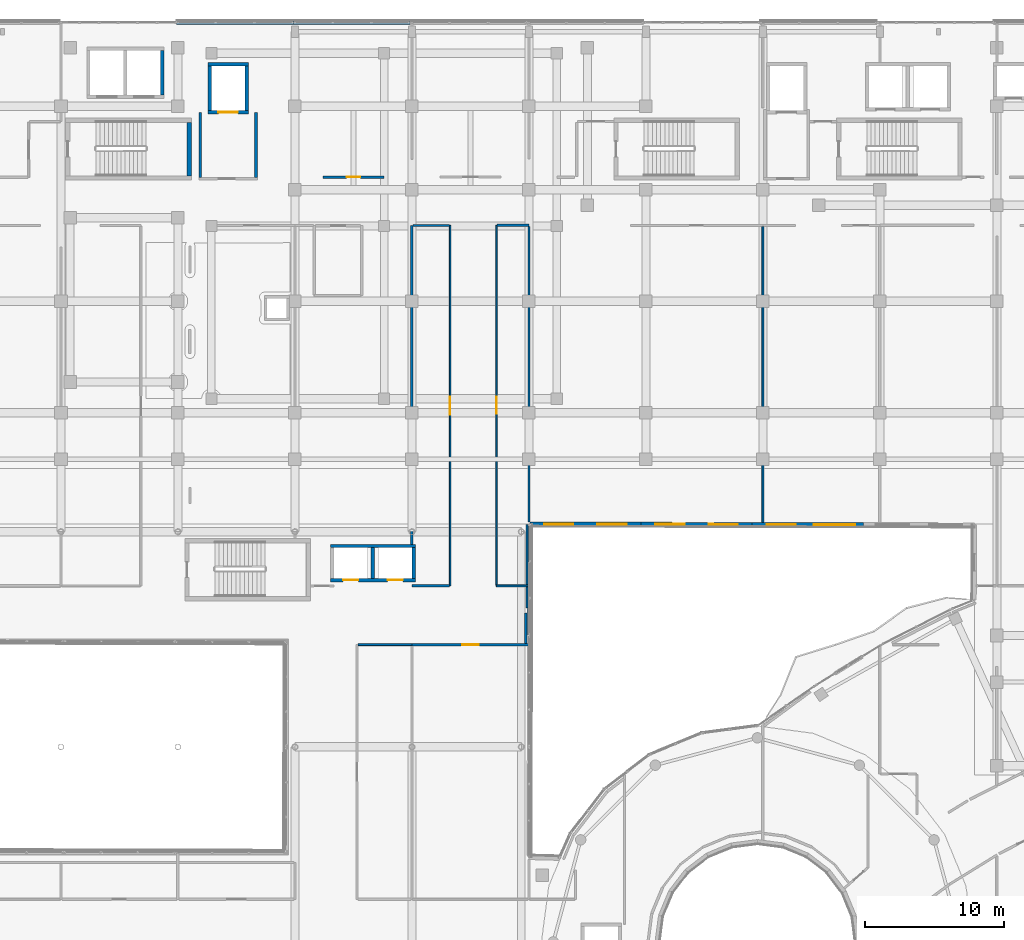
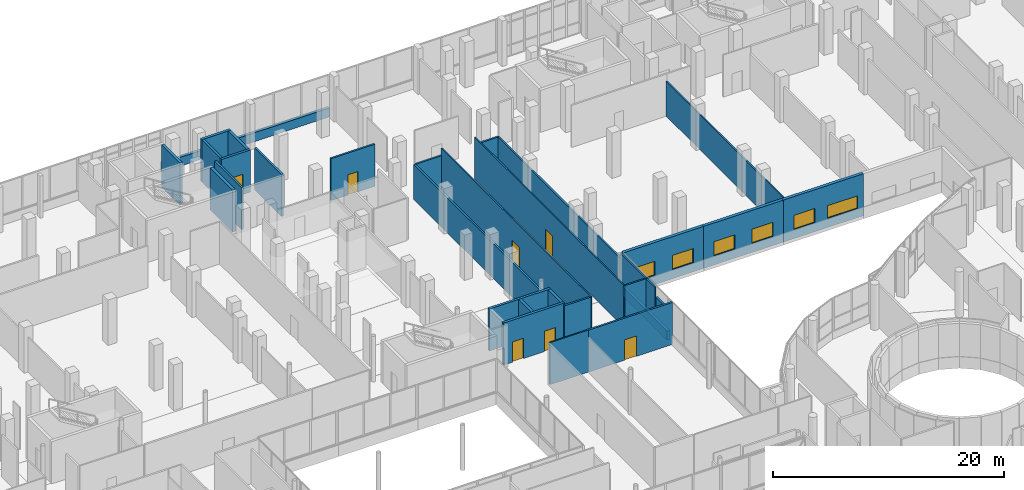
# One storey, part 146 of 168: 33 walls, 7 doors, 6 windows, 13 openings.
"""IFC4 building model written with IfcOpenShell, lengths in metres."""

from ifc_helpers import new_model, si_unit, direction, frame, frame_2d, origin, place, context, subcontext, project, spatial, rectangle, extrude, material, layer, layer_set, type_object, element, fill, save


model = new_model("IFC4")

# Units and contexts
model_context = context("Model", 3, precision=1e-05, world=origin(), true_north=direction((0.0, 1.0)))
body_context = subcontext(model_context, "Body", "Model", "MODEL_VIEW")
ifc_project = project(units=[si_unit("LENGTHUNIT", "METRE"), si_unit("AREAUNIT", "SQUARE_METRE"), si_unit("VOLUMEUNIT", "CUBIC_METRE"), si_unit("PLANEANGLEUNIT", "RADIAN"), si_unit("MASSUNIT", "GRAM", prefix="KILO")], contexts=[model_context])

# Site, building, storey
site_placement = place(None, origin())
site = spatial("IfcSite", under=ifc_project, at=site_placement, CompositionType="ELEMENT")
building_placement = place(site_placement, origin())
building = spatial("IfcBuilding", under=site, at=building_placement, Name="Selatvlak General Hospital", CompositionType="ELEMENT")
storey_placement = place(building_placement, frame((0.0, 0.0, 5.39990234375)))
storey = spatial("IfcBuildingStorey", under=building, at=storey_placement, Name="L01", CompositionType="ELEMENT", Elevation=5.39990234375)

# Wall, openings, windows
ifc_material_1 = material(Name="Precast concrete C40/50 - white fair-faced", Category="concrete")
ifc_layer_1 = layer(ifc_material_1, 0.300048828125, Name="Precast concrete C40/50 - white fair-faced", Category="concrete")
ifc_layer_set_1 = layer_set([ifc_layer_1], Name="Precast concrete C40/50 - white fair-faced")
wall_type_1 = type_object("IfcWallType", Name="WALL-EW-01", PredefinedType="SOLIDWALL", material=ifc_layer_set_1)
wall_1_placement = place(storey_placement, frame((105.614990234375, 83.955078125, 0.0), z_axis=(0.0, 0.0, 1.0), x_axis=(-0.99999826081, 0.001865040936, 0.0)))
wall_1 = element("IfcWall", 1, at=wall_1_placement, inside=storey, type_object=wall_type_1, Name="L01 exterior wall 0243", PredefinedType="SOLIDWALL", context=body_context, shape_type="SweptSolid", body=[
    extrude(rectangle(XDim=7.985107421875, YDim=0.300048828125, at=frame_2d((3.99267578125, 0.0))), origin(), (0.0, 0.0, 1.0), 4.445068359375),
])
opening_1_placement = place(wall_1_placement, frame((0.575927734375, 0.0, 0.9599609375)))
opening_1 = element("IfcOpeningElement", 2, at=opening_1_placement, cuts=wall_1, Name="Opening WN-30", PredefinedType="OPENING", context=body_context, shape_type="SweptSolid", body=[
    extrude(rectangle(XDim=3.0, YDim=1.35009765625, at=frame_2d((1.5, 0.675048828125))), frame((0.0, 0.159912109375, 0.0), z_axis=(0.0, -1.0, 0.0), x_axis=(1.0, 0.0, 0.0)), (0.0, 0.0, 1.0), 0.320068359375),
])
opening_2_placement = place(wall_1_placement, frame((4.85888671875, 0.0, 0.9599609375)))
opening_2 = element("IfcOpeningElement", 3, at=opening_2_placement, cuts=wall_1, Name="Opening WN-06", PredefinedType="OPENING", context=body_context, shape_type="SweptSolid", body=[
    extrude(rectangle(XDim=2.10009765625, YDim=1.5, at=frame_2d((1.050048828125, 0.75))), frame((0.0, 0.159912109375, 0.0), z_axis=(0.0, -1.0, 0.0), x_axis=(1.0, 0.0, 0.0)), (0.0, 0.0, 1.0), 0.320068359375),
])
ifc_material_2 = material(Name="Thermally broken aluminium Low-E window", Category="aluminium")
window_type_1 = type_object("IfcWindowType", Name="WIN-WN-06", PartitioningType="SINGLE_PANEL", PredefinedType="WINDOW", material=ifc_material_2)
window_1_placement = place(opening_2_placement, origin())
window_1 = element("IfcWindow", 4, at=window_1_placement, inside=storey, type_object=window_type_1, Name="L01 Bauhaus ribbon window 0030", OverallHeight=1.5, OverallWidth=2.10009765625, PartitioningType="SINGLE_PANEL", PredefinedType="WINDOW", context=body_context, shape_type="SweptSolid", body=[
    extrude(rectangle(XDim=2.10009765625, YDim=1.5, at=frame_2d((1.050048828125, 0.75))), frame((0.0, 0.030029296875, 0.0), z_axis=(0.0, -1.0, 0.0), x_axis=(1.0, 0.0, 0.0)), (0.0, 0.0, 1.0), 0.06005859375),
])
fill(opening_2, window_1)
window_type_2 = type_object("IfcWindowType", Name="WIN-WN-30", PartitioningType="SINGLE_PANEL", PredefinedType="WINDOW", material=ifc_material_2)
window_2_placement = place(opening_1_placement, origin())
window_2 = element("IfcWindow", 5, at=window_2_placement, inside=storey, type_object=window_type_2, Name="L01 Bauhaus ribbon window 0029", OverallHeight=1.35009765625, OverallWidth=3.0, PartitioningType="SINGLE_PANEL", PredefinedType="WINDOW", context=body_context, shape_type="SweptSolid", body=[
    extrude(rectangle(XDim=3.0, YDim=1.35009765625, at=frame_2d((1.5, 0.675048828125))), frame((0.0, 0.030029296875, 0.0), z_axis=(0.0, -1.0, 0.0), x_axis=(1.0, 0.0, 0.0)), (0.0, 0.0, 1.0), 0.06005859375),
])
fill(opening_1, window_2)

wall_2_placement = place(storey_placement, frame((97.6298828125, 83.969970703125, 0.0), z_axis=(0.0, 0.0, 1.0), x_axis=(-0.99999820321, 0.001895673228, 0.0)))
wall_2 = element("IfcWall", 6, at=wall_2_placement, inside=storey, type_object=wall_type_1, Name="L01 exterior wall 0244", PredefinedType="SOLIDWALL", context=body_context, shape_type="SweptSolid", body=[
    extrude(rectangle(XDim=7.98486328125, YDim=0.300048828125, at=frame_2d((3.992431640625, 0.0))), origin(), (0.0, 0.0, 1.0), 4.445068359375),
])
opening_3_placement = place(wall_2_placement, frame((1.02587890625, 0.0, 0.9599609375)))
opening_3 = element("IfcOpeningElement", 7, at=opening_3_placement, cuts=wall_2, Name="Opening WN-06", PredefinedType="OPENING", context=body_context, shape_type="SweptSolid", body=[
    extrude(rectangle(XDim=2.10009765625, YDim=1.5, at=frame_2d((1.050048828125, 0.75))), frame((0.0, 0.159912109375, 0.0), z_axis=(0.0, -1.0, 0.0), x_axis=(1.0, 0.0, 0.0)), (0.0, 0.0, 1.0), 0.320068359375),
])
opening_4_placement = place(wall_2_placement, frame((4.85888671875, 0.0, 0.9599609375)))
opening_4 = element("IfcOpeningElement", 8, at=opening_4_placement, cuts=wall_2, Name="Opening WN-06", PredefinedType="OPENING", context=body_context, shape_type="SweptSolid", body=[
    extrude(rectangle(XDim=2.10009765625, YDim=1.5, at=frame_2d((1.050048828125, 0.75))), frame((0.0, 0.159912109375, 0.0), z_axis=(0.0, -1.0, 0.0), x_axis=(1.0, 0.0, 0.0)), (0.0, 0.0, 1.0), 0.320068359375),
])
window_3_placement = place(opening_3_placement, origin())
window_3 = element("IfcWindow", 9, at=window_3_placement, inside=storey, type_object=window_type_1, Name="L01 Bauhaus ribbon window 0031", OverallHeight=1.5, OverallWidth=2.10009765625, PartitioningType="SINGLE_PANEL", PredefinedType="WINDOW", context=body_context, shape_type="SweptSolid", body=[
    extrude(rectangle(XDim=2.10009765625, YDim=1.5, at=frame_2d((1.050048828125, 0.75))), frame((0.0, 0.030029296875, 0.0), z_axis=(0.0, -1.0, 0.0), x_axis=(1.0, 0.0, 0.0)), (0.0, 0.0, 1.0), 0.06005859375),
])
fill(opening_3, window_3)
window_4_placement = place(opening_4_placement, origin())
window_4 = element("IfcWindow", 10, at=window_4_placement, inside=storey, type_object=window_type_1, Name="L01 Bauhaus ribbon window 0032", OverallHeight=1.5, OverallWidth=2.10009765625, PartitioningType="SINGLE_PANEL", PredefinedType="WINDOW", context=body_context, shape_type="SweptSolid", body=[
    extrude(rectangle(XDim=2.10009765625, YDim=1.5, at=frame_2d((1.050048828125, 0.75))), frame((0.0, 0.030029296875, 0.0), z_axis=(0.0, -1.0, 0.0), x_axis=(1.0, 0.0, 0.0)), (0.0, 0.0, 1.0), 0.06005859375),
])
fill(opening_4, window_4)

wall_3_placement = place(storey_placement, frame((89.64501953125, 83.985107421875, 0.0), z_axis=(0.0, 0.0, 1.0), x_axis=(-0.99999826081, 0.001865040936, 0.0)))
wall_3 = element("IfcWall", 11, at=wall_3_placement, inside=storey, type_object=wall_type_1, Name="L01 exterior wall 0245", PredefinedType="SOLIDWALL", context=body_context, shape_type="SweptSolid", body=[
    extrude(rectangle(XDim=7.985107421875, YDim=0.300048828125, at=frame_2d((3.99267578125, 0.0))), origin(), (0.0, 0.0, 1.0), 4.445068359375),
])
opening_5_placement = place(wall_3_placement, frame((1.02587890625, 0.0, 0.9599609375)))
opening_5 = element("IfcOpeningElement", 12, at=opening_5_placement, cuts=wall_3, Name="Opening WN-06", PredefinedType="OPENING", context=body_context, shape_type="SweptSolid", body=[
    extrude(rectangle(XDim=2.10009765625, YDim=1.5, at=frame_2d((1.050048828125, 0.75))), frame((0.0, 0.159912109375, 0.0), z_axis=(0.0, -1.0, 0.0), x_axis=(1.0, 0.0, 0.0)), (0.0, 0.0, 1.0), 0.320068359375),
])
opening_6_placement = place(wall_3_placement, frame((4.85888671875, 0.0, 0.9599609375)))
opening_6 = element("IfcOpeningElement", 13, at=opening_6_placement, cuts=wall_3, Name="Opening WN-06", PredefinedType="OPENING", context=body_context, shape_type="SweptSolid", body=[
    extrude(rectangle(XDim=2.10009765625, YDim=1.5, at=frame_2d((1.050048828125, 0.75))), frame((0.0, 0.159912109375, 0.0), z_axis=(0.0, -1.0, 0.0), x_axis=(1.0, 0.0, 0.0)), (0.0, 0.0, 1.0), 0.320068359375),
])
window_5_placement = place(opening_5_placement, origin())
window_5 = element("IfcWindow", 14, at=window_5_placement, inside=storey, type_object=window_type_1, Name="L01 Bauhaus ribbon window 0033", OverallHeight=1.5, OverallWidth=2.10009765625, PartitioningType="SINGLE_PANEL", PredefinedType="WINDOW", context=body_context, shape_type="SweptSolid", body=[
    extrude(rectangle(XDim=2.10009765625, YDim=1.5, at=frame_2d((1.050048828125, 0.75))), frame((0.0, 0.030029296875, 0.0), z_axis=(0.0, -1.0, 0.0), x_axis=(1.0, 0.0, 0.0)), (0.0, 0.0, 1.0), 0.06005859375),
])
fill(opening_5, window_5)
window_6_placement = place(opening_6_placement, origin())
window_6 = element("IfcWindow", 15, at=window_6_placement, inside=storey, type_object=window_type_1, Name="L01 Bauhaus ribbon window 0034", OverallHeight=1.5, OverallWidth=2.10009765625, PartitioningType="SINGLE_PANEL", PredefinedType="WINDOW", context=body_context, shape_type="SweptSolid", body=[
    extrude(rectangle(XDim=2.10009765625, YDim=1.5, at=frame_2d((1.050048828125, 0.75))), frame((0.0, 0.030029296875, 0.0), z_axis=(0.0, -1.0, 0.0), x_axis=(1.0, 0.0, 0.0)), (0.0, 0.0, 1.0), 0.06005859375),
])
fill(opening_6, window_6)

# Walls
ifc_material_3 = material(Name="Precast concrete C40/50 - white Bauhaus spandrel", Category="concrete")
ifc_layer_2 = layer(ifc_material_3, 0.280029296875, Name="Precast concrete C40/50 - white Bauhaus spandrel", Category="concrete")
ifc_layer_set_2 = layer_set([ifc_layer_2], Name="Precast concrete C40/50 - white Bauhaus spandrel")
wall_type_2 = type_object("IfcWallType", Name="WALL-EW-02", PredefinedType="SOLIDWALL", material=ifc_layer_set_2)
wall_4_placement = place(storey_placement, frame((56.302001953125, 119.9990234375, 0.0), z_axis=(0.0, 0.0, 1.0), x_axis=(1.0, 0.0, 0.0)))
element("IfcWall", 16, at=wall_4_placement, inside=storey, type_object=wall_type_2, Name="L01 Bauhaus spandrel sill wall 0210", PredefinedType="SOLIDWALL", context=body_context, shape_type="SweptSolid", body=[
    extrude(rectangle(XDim=8.3759765625, YDim=0.280029296875, at=frame_2d((4.18798828125, 0.0))), origin(), (0.0, 0.0, 1.0), 0.940185546875),
])
wall_5_placement = place(storey_placement, frame((64.681884765625, 119.9990234375, 0.0), z_axis=(0.0, 0.0, 1.0), x_axis=(1.0, 0.0, 0.0)))
element("IfcWall", 17, at=wall_5_placement, inside=storey, type_object=wall_type_2, Name="L01 Bauhaus spandrel sill wall 0211", PredefinedType="SOLIDWALL", context=body_context, shape_type="SweptSolid", body=[
    extrude(rectangle(XDim=8.376220703125, YDim=0.280029296875, at=frame_2d((4.18798828125, 0.0))), origin(), (0.0, 0.0, 1.0), 0.940185546875),
])
wall_6_placement = place(storey_placement, frame((81.659912109375, 83.860107421875, 0.0), z_axis=(0.0, 0.0, 1.0), x_axis=(-0.002554110965, -0.999996738253, 0.0)))
element("IfcWall", 18, at=wall_6_placement, inside=storey, type_object=wall_type_2, Name="L01 Bauhaus spandrel sill wall 0246", PredefinedType="SOLIDWALL", context=body_context, shape_type="SweptSolid", body=[
    extrude(rectangle(XDim=7.838134765625, YDim=0.280029296875, at=frame_2d((3.9189453125, 0.0))), origin(), (0.0, 0.0, 1.0), 0.940185546875),
])
ifc_material_4 = material(Name="Concrete C40/50", Category="concrete")
ifc_layer_3 = layer(ifc_material_4, 0.199951171875, Name="Concrete C40/50", Category="concrete")
ifc_layer_set_3 = layer_set([ifc_layer_3], Name="Concrete C40/50")
wall_type_3 = type_object("IfcWallType", Name="WALL-IW-02", PredefinedType="SOLIDWALL", material=ifc_layer_set_3)
for number, where, z_axis, x_axis, name in (
    (19, (62.0, 108.89990234375, 0.0), (0.0, 0.0, 1.0), (0.0, 1.0, 0.0), "Firefighting lobby C1 wall L01 E"),
    (20, (58.0, 113.550048828125, 0.0), (0.0, 0.0, 1.0), (0.0, -1.0, 0.0), "Firefighting lobby C1 wall L01 W"),
):
    element("IfcWall", number, at=place(storey_placement, frame(where, z_axis=z_axis, x_axis=x_axis)), inside=storey, type_object=wall_type_3, Name=name, PredefinedType="SOLIDWALL", context=body_context, shape_type="SweptSolid", body=[
        extrude(rectangle(XDim=4.650146484375, YDim=0.199951171875, at=frame_2d((2.3251953125, 0.0))), origin(), (0.0, 0.0, 1.0), 4.445068359375),
    ])

# Wall, opening, door
ifc_material_5 = material(Name="Acoustic gypsum stud partition")
ifc_layer_4 = layer(ifc_material_5, 0.179931640625, Name="Acoustic gypsum stud partition")
ifc_layer_set_4 = layer_set([ifc_layer_4], Name="Acoustic gypsum stud partition")
wall_type_4 = type_object("IfcWallType", Name="WALL-PT-01", PredefinedType="PARTITIONING", material=ifc_layer_set_4)
wall_7_placement = place(storey_placement, frame((73.199951171875, 75.340087890625, 0.0), z_axis=(0.0, 0.0, 1.0), x_axis=(1.0, 0.0, 0.0)))
wall_7 = element("IfcWall", 21, at=wall_7_placement, inside=storey, type_object=wall_type_4, Name="L01 clinical partition PT-L01-0800", PredefinedType="PARTITIONING", context=body_context, shape_type="SweptSolid", body=[
    extrude(rectangle(XDim=8.39599609375, YDim=0.179931640625, at=frame_2d((4.197998046875, 0.0))), origin(), (0.0, 0.0, 1.0), 4.445068359375),
])
opening_7_placement = place(wall_7_placement, frame((3.597900390625, 0.0, 0.0)))
opening_7 = element("IfcOpeningElement", 22, at=opening_7_placement, cuts=wall_7, Name="Opening D-07", PredefinedType="OPENING", context=body_context, shape_type="SweptSolid", body=[
    extrude(rectangle(XDim=1.199951171875, YDim=2.14990234375, at=frame_2d((0.60009765625, 1.074951171875))), frame((0.0, 0.099853515625, 0.0), z_axis=(0.0, -1.0, 0.0), x_axis=(1.0, 0.0, 0.0)), (0.0, 0.0, 1.0), 0.199951171875),
])
ifc_material_6 = material(Name="Plant and store fire door")
door_type_1 = type_object("IfcDoorType", Name="DOOR-D-07", OperationType="NOTDEFINED", PredefinedType="DOOR", material=ifc_material_6)
door_1_placement = place(opening_7_placement, origin())
door_1 = element("IfcDoor", 23, at=door_1_placement, inside=storey, type_object=door_type_1, Name="L01 Pre-Operative Day Surgery Ward 21 door", OperationType="SINGLE_SWING_LEFT", OverallHeight=2.14990234375, OverallWidth=1.199951171875, PredefinedType="DOOR", context=body_context, shape_type="SweptSolid", body=[
    extrude(rectangle(XDim=1.199951171875, YDim=2.14990234375, at=frame_2d((0.60009765625, 1.074951171875))), frame((0.0, 0.02490234375, 0.0), z_axis=(0.0, -1.0, 0.0), x_axis=(1.0, 0.0, 0.0)), (0.0, 0.0, 1.0), 0.050048828125),
])
fill(opening_7, door_1)

# Walls
wall_8_placement = place(storey_placement, frame((73.199951171875, 105.43994140625, 0.0), z_axis=(0.0, 0.0, 1.0), x_axis=(0.0, -1.0, 0.0)))
element("IfcWall", 24, at=wall_8_placement, inside=storey, type_object=wall_type_4, Name="L01 clinical partition PT-L01-0940", PredefinedType="PARTITIONING", context=body_context, shape_type="SweptSolid", body=[
    extrude(rectangle(XDim=22.892822265625, YDim=0.179931640625, at=frame_2d((11.4462890625, 0.0))), origin(), (0.0, 0.0, 1.0), 3.695068359375),
])
wall_9_placement = place(storey_placement, frame((79.31591796875, 105.43994140625, 0.0), z_axis=(0.0, 0.0, 1.0), x_axis=(1.0, 0.0, 0.0)))
element("IfcWall", 25, at=wall_9_placement, inside=storey, type_object=wall_type_4, Name="L01 clinical partition PT-L01-0945", PredefinedType="PARTITIONING", context=body_context, shape_type="SweptSolid", body=[
    extrude(rectangle(XDim=2.2841796875, YDim=0.179931640625, at=frame_2d((1.14208984375, 0.0))), origin(), (0.0, 0.0, 1.0), 3.695068359375),
])
wall_10_placement = place(storey_placement, frame((75.884033203125, 79.56005859375, 0.0), z_axis=(0.0, 0.0, 1.0), x_axis=(-1.0, 0.0, 0.0)))
element("IfcWall", 26, at=wall_10_placement, inside=storey, type_object=wall_type_4, Name="L01 clinical partition PT-L01-0950", PredefinedType="PARTITIONING", context=body_context, shape_type="SweptSolid", body=[
    extrude(rectangle(XDim=2.674072265625, YDim=0.179931640625, at=frame_2d((1.3369140625, 0.0))), origin(), (0.0, 0.0, 1.0), 4.445068359375),
])

# Wall, opening, door
wall_11_placement = place(storey_placement, frame((71.18896484375, 108.909912109375, 0.0), z_axis=(0.0, 0.0, 1.0), x_axis=(-1.0, 0.0, 0.0)))
wall_11 = element("IfcWall", 27, at=wall_11_placement, inside=storey, type_object=wall_type_4, Name="L01 clinical partition PT-L01-1005", PredefinedType="PARTITIONING", context=body_context, shape_type="SweptSolid", body=[
    extrude(rectangle(XDim=4.3779296875, YDim=0.179931640625, at=frame_2d((2.18896484375, 0.0))), origin(), (0.0, 0.0, 1.0), 4.445068359375),
])
opening_8_placement = place(wall_11_placement, frame((1.68896484375, 0.0, 0.0)))
opening_8 = element("IfcOpeningElement", 28, at=opening_8_placement, cuts=wall_11, Name="Opening D-21", PredefinedType="OPENING", context=body_context, shape_type="SweptSolid", body=[
    extrude(rectangle(XDim=1.0, YDim=2.14990234375, at=frame_2d((0.5, 1.074951171875))), frame((0.0, 0.099853515625, 0.0), z_axis=(0.0, -1.0, 0.0), x_axis=(1.0, 0.0, 0.0)), (0.0, 0.0, 1.0), 0.199951171875),
])
ifc_material_7 = material(Name="Laboratory fire door")
door_type_2 = type_object("IfcDoorType", Name="DOOR-D-21", OperationType="NOTDEFINED", PredefinedType="DOOR", material=ifc_material_7)
door_2_placement = place(opening_8_placement, origin())
door_2 = element("IfcDoor", 29, at=door_2_placement, inside=storey, type_object=door_type_2, Name="L01 Critical Care Pharmacy Satellite 69 door", OperationType="SINGLE_SWING_RIGHT", OverallHeight=2.14990234375, OverallWidth=1.0, PredefinedType="DOOR", context=body_context, shape_type="SweptSolid", body=[
    extrude(rectangle(XDim=1.0, YDim=2.14990234375, at=frame_2d((0.5, 1.074951171875))), frame((0.0, 0.02490234375, 0.0), z_axis=(0.0, -1.0, 0.0), x_axis=(1.0, 0.0, 0.0)), (0.0, 0.0, 1.0), 0.050048828125),
])
fill(opening_8, door_2)

# Walls
ifc_layer_5 = layer(ifc_material_5, 0.1650390625, Name="Acoustic gypsum stud partition")
ifc_layer_set_5 = layer_set([ifc_layer_5], Name="Acoustic gypsum stud partition")
wall_type_5 = type_object("IfcWallType", Name="WALL-PT-02", PredefinedType="PARTITIONING", material=ifc_layer_set_5)
wall_12_placement = place(storey_placement, frame((81.360107421875, 75.426025390625, 0.0), z_axis=(0.0, 0.0, 1.0), x_axis=(0.0, 1.0, 0.0)))
element("IfcWall", 30, at=wall_12_placement, inside=storey, type_object=wall_type_5, Name="L01 clinical partition PT-L01-0801", PredefinedType="PARTITIONING", context=body_context, shape_type="SweptSolid", body=[
    extrude(rectangle(XDim=2.174072265625, YDim=0.1650390625, at=frame_2d((1.0869140625, 0.0))), origin(), (0.0, 0.0, 1.0), 3.695068359375),
])
wall_13_placement = place(storey_placement, frame((81.60009765625, 105.35400390625, 0.0), z_axis=(0.0, 0.0, 1.0), x_axis=(0.0, -1.0, 0.0)))
element("IfcWall", 31, at=wall_13_placement, inside=storey, type_object=wall_type_5, Name="L01 clinical partition PT-L01-0946", PredefinedType="PARTITIONING", context=body_context, shape_type="SweptSolid", body=[
    extrude(rectangle(XDim=21.216064453125, YDim=0.1650390625, at=frame_2d((10.60791015625, 0.0))), origin(), (0.0, 0.0, 1.0), 3.695068359375),
])
wall_14_placement = place(storey_placement, frame((73.285888671875, 105.43994140625, 0.0), z_axis=(0.0, 0.0, 1.0), x_axis=(1.0, 0.0, 0.0)))
element("IfcWall", 32, at=wall_14_placement, inside=storey, type_object=wall_type_5, Name="L01 clinical partition PT-L01-0951", PredefinedType="PARTITIONING", context=body_context, shape_type="SweptSolid", body=[
    extrude(rectangle(XDim=2.59814453125, YDim=0.1650390625, at=frame_2d((1.299072265625, 0.0))), origin(), (0.0, 0.0, 1.0), 3.695068359375),
])
ifc_layer_6 = layer(ifc_material_5, 0.14990234375, Name="Acoustic gypsum stud partition")
ifc_layer_set_6 = layer_set([ifc_layer_6], Name="Acoustic gypsum stud partition")
wall_type_6 = type_object("IfcWallType", Name="WALL-PT-03", PredefinedType="PARTITIONING", material=ifc_layer_set_6)
wall_15_placement = place(storey_placement, frame((81.4599609375, 83.97509765625, 0.0), z_axis=(0.0, 0.0, 1.0), x_axis=(0.0, -1.0, 0.0)))
element("IfcWall", 33, at=wall_15_placement, inside=storey, type_object=wall_type_6, Name="L01 clinical partition PT-L01-0947", PredefinedType="PARTITIONING", context=body_context, shape_type="SweptSolid", body=[
    extrude(rectangle(XDim=4.35107421875, YDim=0.14990234375, at=frame_2d((2.175537109375, 0.0))), origin(), (0.0, 0.0, 1.0), 4.445068359375),
])
ifc_material_8 = material(Name="Moisture-resistant clinical partition")
ifc_layer_7 = layer(ifc_material_8, 0.135009765625, Name="Moisture-resistant clinical partition")
ifc_layer_set_7 = layer_set([ifc_layer_7], Name="Moisture-resistant clinical partition")
wall_type_7 = type_object("IfcWallType", Name="WALL-PT-04", PredefinedType="PARTITIONING", material=ifc_layer_set_7)
wall_16_placement = place(storey_placement, frame((69.3310546875, 75.340087890625, 0.0), z_axis=(0.0, 0.0, 1.0), x_axis=(1.0, 0.0, 0.0)))
element("IfcWall", 34, at=wall_16_placement, inside=storey, type_object=wall_type_7, Name="L01 clinical partition PT-L01-0783", PredefinedType="PARTITIONING", context=body_context, shape_type="SweptSolid", body=[
    extrude(rectangle(XDim=3.868896484375, YDim=0.135009765625, at=frame_2d((1.9345703125, 0.0))), origin(), (0.0, 0.0, 1.0), 4.445068359375),
])
wall_17_placement = place(storey_placement, frame((81.60693359375, 79.56005859375, 0.0), z_axis=(0.0, 0.0, 1.0), x_axis=(-1.0, 0.0, 0.0)))
element("IfcWall", 35, at=wall_17_placement, inside=storey, type_object=wall_type_7, Name="L01 clinical partition PT-L01-0943", PredefinedType="PARTITIONING", context=body_context, shape_type="SweptSolid", body=[
    extrude(rectangle(XDim=2.346923828125, YDim=0.135009765625, at=frame_2d((1.17333984375, 0.0))), origin(), (0.0, 0.0, 1.0), 4.445068359375),
])
wall_18_placement = place(storey_placement, frame((81.4599609375, 79.49609375, 0.0), z_axis=(0.0, 0.0, 1.0), x_axis=(0.0, -1.0, 0.0)))
element("IfcWall", 36, at=wall_18_placement, inside=storey, type_object=wall_type_7, Name="L01 clinical partition PT-L01-0948", PredefinedType="PARTITIONING", context=body_context, shape_type="SweptSolid", body=[
    extrude(rectangle(XDim=1.51416015625, YDim=0.135009765625, at=frame_2d((0.757080078125, 0.0))), origin(), (0.0, 0.0, 1.0), 4.445068359375),
])
wall_19_placement = place(storey_placement, frame((98.39990234375, 105.368896484375, 0.0), z_axis=(0.0, 0.0, 1.0), x_axis=(0.0, -1.0, 0.0)))
element("IfcWall", 37, at=wall_19_placement, inside=storey, type_object=wall_type_7, Name="L01 clinical partition PT-L01-0953", PredefinedType="PARTITIONING", context=body_context, shape_type="SweptSolid", body=[
    extrude(rectangle(XDim=21.2529296875, YDim=0.135009765625, at=frame_2d((10.62646484375, 0.0))), origin(), (0.0, 0.0, 1.0), 3.695068359375),
])

# Wall, opening, door
ifc_layer_8 = layer(ifc_material_8, 0.1201171875, Name="Moisture-resistant clinical partition")
ifc_layer_set_8 = layer_set([ifc_layer_8], Name="Moisture-resistant clinical partition")
wall_type_8 = type_object("IfcWallType", Name="WALL-PT-05", PredefinedType="PARTITIONING", material=ifc_layer_set_8)
wall_20_placement = place(storey_placement, frame((79.260009765625, 79.6240234375, 0.0), z_axis=(0.0, 0.0, 1.0), x_axis=(0.0, 1.0, 0.0)))
wall_20 = element("IfcWall", 38, at=wall_20_placement, inside=storey, type_object=wall_type_8, Name="L01 clinical partition PT-L01-0944", PredefinedType="PARTITIONING", context=body_context, shape_type="SweptSolid", body=[
    extrude(rectangle(XDim=25.81591796875, YDim=0.1201171875, at=frame_2d((12.907958984375, 0.0))), origin(), (0.0, 0.0, 1.0), 4.445068359375),
])
opening_9_placement = place(wall_20_placement, frame((12.30810546875, 0.0, 0.0)))
opening_9 = element("IfcOpeningElement", 39, at=opening_9_placement, cuts=wall_20, Name="Opening D-23", PredefinedType="OPENING", context=body_context, shape_type="SweptSolid", body=[
    extrude(rectangle(XDim=1.199951171875, YDim=2.14990234375, at=frame_2d((0.60009765625, 1.074951171875))), frame((0.0, 0.070068359375, 0.0), z_axis=(0.0, -1.0, 0.0), x_axis=(1.0, 0.0, 0.0)), (0.0, 0.0, 1.0), 0.14013671875),
])
ifc_material_9 = material(Name="Endoscopy clinical door")
door_type_3 = type_object("IfcDoorType", Name="DOOR-D-23", OperationType="NOTDEFINED", PredefinedType="DOOR", material=ifc_material_9)
door_3_placement = place(opening_9_placement, origin())
door_3 = element("IfcDoor", 40, at=door_3_placement, inside=storey, type_object=door_type_3, Name="L01 Family Consultation Room 49 door", OperationType="SINGLE_SWING_LEFT", OverallHeight=2.14990234375, OverallWidth=1.199951171875, PredefinedType="DOOR", context=body_context, shape_type="SweptSolid", body=[
    extrude(rectangle(XDim=1.199951171875, YDim=2.14990234375, at=frame_2d((0.60009765625, 1.074951171875))), frame((0.0, 0.02490234375, 0.0), z_axis=(0.0, -1.0, 0.0), x_axis=(1.0, 0.0, 0.0)), (0.0, 0.0, 1.0), 0.050048828125),
])
fill(opening_9, door_3)

wall_21_placement = place(storey_placement, frame((75.93994140625, 105.43994140625, 0.0), z_axis=(0.0, 0.0, 1.0), x_axis=(0.0, -1.0, 0.0)))
wall_21 = element("IfcWall", 41, at=wall_21_placement, inside=storey, type_object=wall_type_8, Name="L01 clinical partition PT-L01-0949", PredefinedType="PARTITIONING", context=body_context, shape_type="SweptSolid", body=[
    extrude(rectangle(XDim=25.8798828125, YDim=0.1201171875, at=frame_2d((12.93994140625, 0.0))), origin(), (0.0, 0.0, 1.0), 4.445068359375),
])
opening_10_placement = place(wall_21_placement, frame((12.2900390625, 0.0, 0.0)))
opening_10 = element("IfcOpeningElement", 42, at=opening_10_placement, cuts=wall_21, Name="Opening D-24", PredefinedType="OPENING", context=body_context, shape_type="SweptSolid", body=[
    extrude(rectangle(XDim=1.300048828125, YDim=2.14990234375, at=frame_2d((0.64990234375, 1.074951171875))), frame((0.0, 0.070068359375, 0.0), z_axis=(0.0, -1.0, 0.0), x_axis=(1.0, 0.0, 0.0)), (0.0, 0.0, 1.0), 0.14013671875),
])
ifc_material_10 = material(Name="Oncology bay door")
door_type_4 = type_object("IfcDoorType", Name="DOOR-D-24", OperationType="NOTDEFINED", PredefinedType="DOOR", material=ifc_material_10)
door_4_placement = place(opening_10_placement, origin())
door_4 = element("IfcDoor", 43, at=door_4_placement, inside=storey, type_object=door_type_4, Name="L01 Adult Intensive Care Unit Bay 50 door", OperationType="SINGLE_SWING_RIGHT", OverallHeight=2.14990234375, OverallWidth=1.300048828125, PredefinedType="DOOR", context=body_context, shape_type="SweptSolid", body=[
    extrude(rectangle(XDim=1.300048828125, YDim=2.14990234375, at=frame_2d((0.64990234375, 1.074951171875))), frame((0.0, 0.02490234375, 0.0), z_axis=(0.0, -1.0, 0.0), x_axis=(1.0, 0.0, 0.0)), (0.0, 0.0, 1.0), 0.050048828125),
])
fill(opening_10, door_4)

# Wall
ifc_material_11 = material(Name="Concrete C45/55", Category="concrete")
ifc_layer_9 = layer(ifc_material_11, 0.300048828125, Name="Concrete C45/55", Category="concrete")
ifc_layer_set_9 = layer_set([ifc_layer_9], Name="Concrete C45/55")
wall_type_9 = type_object("IfcWallType", Name="WALL-SW-02", PredefinedType="SHEAR", material=ifc_layer_set_9)
wall_22_placement = place(storey_placement, frame((57.2099609375, 108.989990234375, 0.0), z_axis=(0.0, 0.0, 1.0), x_axis=(0.0, 1.0, 0.0)))
element("IfcWall", 44, at=wall_22_placement, inside=storey, type_object=wall_type_9, Name="ST-01 core shear wall L01 E", PredefinedType="SHEAR", context=body_context, shape_type="SweptSolid", body=[
    extrude(rectangle(XDim=3.860107421875, YDim=0.300048828125, at=frame_2d((1.93017578125, 0.0))), origin(), (0.0, 0.0, 1.0), 4.445068359375),
])

# Wall, openings, doors
ifc_layer_10 = layer(ifc_material_4, 0.25, Name="Concrete C40/50", Category="concrete")
ifc_layer_set_10 = layer_set([ifc_layer_10], Name="Concrete C40/50")
wall_type_10 = type_object("IfcWallType", Name="WALL-SW-03", PredefinedType="SHEAR", material=ifc_layer_set_10)
wall_23_placement = place(storey_placement, frame((67.35009765625, 79.97509765625, 0.0), z_axis=(0.0, 0.0, 1.0), x_axis=(1.0, 0.0, 0.0)))
wall_23 = element("IfcWall", 45, at=wall_23_placement, inside=storey, type_object=wall_type_10, Name="Lift LP-01-LP-02 shaft wall L01 S", PredefinedType="SHEAR", context=body_context, shape_type="SweptSolid", body=[
    extrude(rectangle(XDim=6.099853515625, YDim=0.25, at=frame_2d((3.0498046875, 0.0))), origin(), (0.0, 0.0, 1.0), 4.445068359375),
])
opening_11_placement = place(wall_23_placement, frame((0.89990234375, 0.0, 0.0)))
opening_11 = element("IfcOpeningElement", 46, at=opening_11_placement, cuts=wall_23, Name="Opening LD-P1", PredefinedType="OPENING", context=body_context, shape_type="SweptSolid", body=[
    extrude(rectangle(XDim=1.10009765625, YDim=2.14990234375, at=frame_2d((0.550048828125, 1.074951171875))), frame((0.0, 0.135009765625, 0.0), z_axis=(0.0, -1.0, 0.0), x_axis=(1.0, 0.0, 0.0)), (0.0, 0.0, 1.0), 0.27001953125),
])
opening_12_placement = place(wall_23_placement, frame((4.10009765625, 0.0, 0.0)))
opening_12 = element("IfcOpeningElement", 47, at=opening_12_placement, cuts=wall_23, Name="Opening LD-P1", PredefinedType="OPENING", context=body_context, shape_type="SweptSolid", body=[
    extrude(rectangle(XDim=1.10009765625, YDim=2.14990234375, at=frame_2d((0.550048828125, 1.074951171875))), frame((0.0, 0.135009765625, 0.0), z_axis=(0.0, -1.0, 0.0), x_axis=(1.0, 0.0, 0.0)), (0.0, 0.0, 1.0), 0.27001953125),
])
ifc_material_12 = material(Name="Stainless steel passenger lift landing door", Category="steel")
door_type_5 = type_object("IfcDoorType", Name="DOOR-LD-P1", OperationType="DOUBLE_DOOR_SLIDING", PredefinedType="DOOR", material=ifc_material_12)
door_5_placement = place(opening_11_placement, origin())
door_5 = element("IfcDoor", 48, at=door_5_placement, inside=storey, type_object=door_type_5, Name="Lift LP-01 sliding landing door on L01", OperationType="DOUBLE_DOOR_SLIDING", OverallHeight=2.14990234375, OverallWidth=1.10009765625, PredefinedType="DOOR", context=body_context, shape_type="SweptSolid", body=[
    extrude(rectangle(XDim=1.10009765625, YDim=2.14990234375, at=frame_2d((0.550048828125, 1.074951171875))), frame((0.0, 0.02490234375, 0.0), z_axis=(0.0, -1.0, 0.0), x_axis=(1.0, 0.0, 0.0)), (0.0, 0.0, 1.0), 0.050048828125),
])
fill(opening_11, door_5)
door_6_placement = place(opening_12_placement, origin())
door_6 = element("IfcDoor", 49, at=door_6_placement, inside=storey, type_object=door_type_5, Name="Lift LP-02 sliding landing door on L01", OperationType="DOUBLE_DOOR_SLIDING", OverallHeight=2.14990234375, OverallWidth=1.10009765625, PredefinedType="DOOR", context=body_context, shape_type="SweptSolid", body=[
    extrude(rectangle(XDim=1.10009765625, YDim=2.14990234375, at=frame_2d((0.550048828125, 1.074951171875))), frame((0.0, 0.02490234375, 0.0), z_axis=(0.0, -1.0, 0.0), x_axis=(1.0, 0.0, 0.0)), (0.0, 0.0, 1.0), 0.050048828125),
])
fill(opening_12, door_6)

# Walls
wall_24_placement = place(storey_placement, frame((73.324951171875, 80.10009765625, 0.0), z_axis=(0.0, 0.0, 1.0), x_axis=(0.0, 1.0, 0.0)))
element("IfcWall", 50, at=wall_24_placement, inside=storey, type_object=wall_type_10, Name="Lift LP-01-LP-02 shaft wall L01 E", PredefinedType="SHEAR", context=body_context, shape_type="SweptSolid", body=[
    extrude(rectangle(XDim=2.199951171875, YDim=0.25, at=frame_2d((1.10009765625, 0.0))), origin(), (0.0, 0.0, 1.0), 4.445068359375),
])
wall_25_placement = place(storey_placement, frame((73.449951171875, 82.425048828125, 0.0), z_axis=(0.0, 0.0, 1.0), x_axis=(-1.0, 0.0, 0.0)))
element("IfcWall", 51, at=wall_25_placement, inside=storey, type_object=wall_type_10, Name="Lift LP-01-LP-02 shaft wall L01 N", PredefinedType="SHEAR", context=body_context, shape_type="SweptSolid", body=[
    extrude(rectangle(XDim=6.099853515625, YDim=0.25, at=frame_2d((3.0498046875, 0.0))), origin(), (0.0, 0.0, 1.0), 4.445068359375),
])
wall_26_placement = place(storey_placement, frame((70.39990234375, 80.10009765625, 0.0), z_axis=(0.0, 0.0, 1.0), x_axis=(0.0, 1.0, 0.0)))
element("IfcWall", 52, at=wall_26_placement, inside=storey, type_object=wall_type_10, Name="Lift LP-01-LP-02 dividing shaft wall L01", PredefinedType="SHEAR", context=body_context, shape_type="SweptSolid", body=[
    extrude(rectangle(XDim=2.199951171875, YDim=0.25, at=frame_2d((1.10009765625, 0.0))), origin(), (0.0, 0.0, 1.0), 4.445068359375),
])

# Wall, opening, door
wall_27_placement = place(storey_placement, frame((58.550048828125, 113.574951171875, 0.0), z_axis=(0.0, 0.0, 1.0), x_axis=(1.0, 0.0, 0.0)))
wall_27 = element("IfcWall", 53, at=wall_27_placement, inside=storey, type_object=wall_type_10, Name="Lift LF-01 shaft wall L01 S", PredefinedType="SHEAR", context=body_context, shape_type="SweptSolid", body=[
    extrude(rectangle(XDim=2.89990234375, YDim=0.25, at=frame_2d((1.449951171875, 0.0))), origin(), (0.0, 0.0, 1.0), 4.445068359375),
])
opening_13_placement = place(wall_27_placement, frame((0.75, 0.0, 0.0)))
opening_13 = element("IfcOpeningElement", 54, at=opening_13_placement, cuts=wall_27, Name="Opening LD-F1", PredefinedType="OPENING", context=body_context, shape_type="SweptSolid", body=[
    extrude(rectangle(XDim=1.39990234375, YDim=2.14990234375, at=frame_2d((0.699951171875, 1.074951171875))), frame((0.0, 0.135009765625, 0.0), z_axis=(0.0, -1.0, 0.0), x_axis=(1.0, 0.0, 0.0)), (0.0, 0.0, 1.0), 0.27001953125),
])
ifc_material_13 = material(Name="Stainless steel fire lift landing door", Category="steel")
door_type_6 = type_object("IfcDoorType", Name="DOOR-LD-F1", OperationType="DOUBLE_DOOR_SLIDING", PredefinedType="DOOR", material=ifc_material_13)
door_7_placement = place(opening_13_placement, origin())
door_7 = element("IfcDoor", 55, at=door_7_placement, inside=storey, type_object=door_type_6, Name="Lift LF-01 sliding landing door on L01", OperationType="DOUBLE_DOOR_SLIDING", OverallHeight=2.14990234375, OverallWidth=1.39990234375, PredefinedType="DOOR", context=body_context, shape_type="SweptSolid", body=[
    extrude(rectangle(XDim=1.39990234375, YDim=2.14990234375, at=frame_2d((0.699951171875, 1.074951171875))), frame((0.0, 0.02490234375, 0.0), z_axis=(0.0, -1.0, 0.0), x_axis=(1.0, 0.0, 0.0)), (0.0, 0.0, 1.0), 0.050048828125),
])
fill(opening_13, door_7)

# Walls
wall_28_placement = place(storey_placement, frame((61.324951171875, 113.699951171875, 0.0), z_axis=(0.0, 0.0, 1.0), x_axis=(0.0, 1.0, 0.0)))
element("IfcWall", 56, at=wall_28_placement, inside=storey, type_object=wall_type_10, Name="Lift LF-01 shaft wall L01 E", PredefinedType="SHEAR", context=body_context, shape_type="SweptSolid", body=[
    extrude(rectangle(XDim=3.199951171875, YDim=0.25, at=frame_2d((1.60009765625, 0.0))), origin(), (0.0, 0.0, 1.0), 4.445068359375),
])
wall_29_placement = place(storey_placement, frame((61.449951171875, 117.02490234375, 0.0), z_axis=(0.0, 0.0, 1.0), x_axis=(-1.0, 0.0, 0.0)))
element("IfcWall", 57, at=wall_29_placement, inside=storey, type_object=wall_type_10, Name="Lift LF-01 shaft wall L01 N", PredefinedType="SHEAR", context=body_context, shape_type="SweptSolid", body=[
    extrude(rectangle(XDim=2.89990234375, YDim=0.25, at=frame_2d((1.449951171875, 0.0))), origin(), (0.0, 0.0, 1.0), 4.445068359375),
])
for number, where, z_axis, x_axis, name in (
    (58, (58.675048828125, 116.89990234375, 0.0), (0.0, 0.0, 1.0), (0.0, -1.0, 0.0), "Lift LF-01 shaft wall L01 W"),
    (59, (55.27490234375, 114.800048828125, 0.0), (0.0, 0.0, 1.0), (0.0, 1.0, 0.0), "Lift LB-01-LB-02 shaft wall L01 E"),
):
    element("IfcWall", number, at=place(storey_placement, frame(where, z_axis=z_axis, x_axis=x_axis)), inside=storey, type_object=wall_type_10, Name=name, PredefinedType="SHEAR", context=body_context, shape_type="SweptSolid", body=[
        extrude(rectangle(XDim=3.199951171875, YDim=0.25, at=frame_2d((1.60009765625, 0.0))), origin(), (0.0, 0.0, 1.0), 4.445068359375),
    ])

save(model, "model.ifc")
